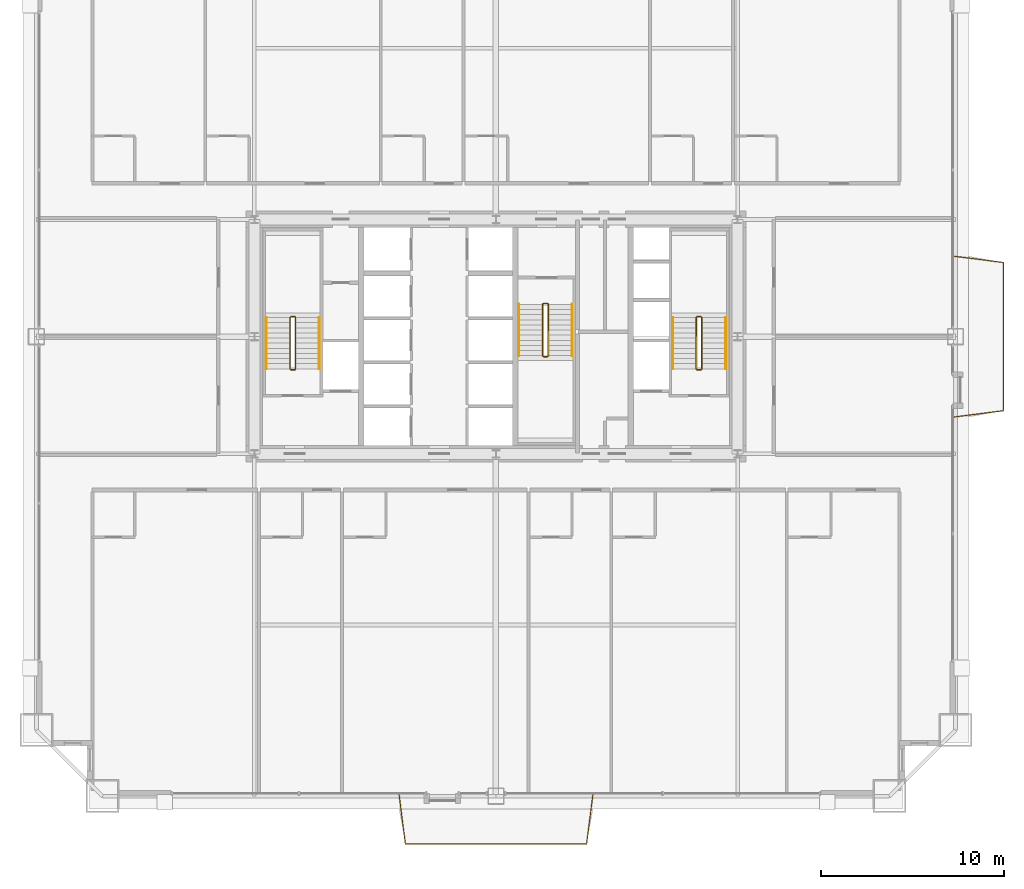
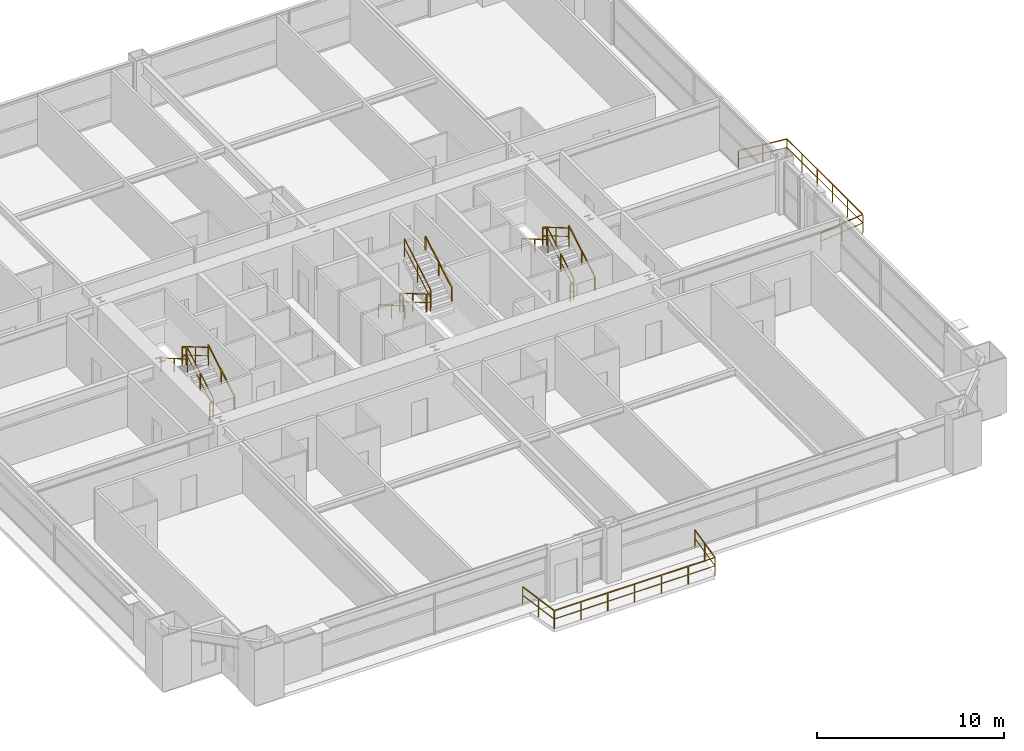
# One storey, part 43 of 43: 20 railings.
"""IFC4 building model written with IfcOpenShell, lengths in metres."""

from ifc_helpers import new_model, si_unit, direction, frame, origin, origin_2d, place, context, subcontext, project, spatial, rectangle, extrude, source, transform, mapped, material, layer, layer_set, type_object, element, save


model = new_model("IFC4")

# Units and contexts
model_context = context("Model", 3, precision=1e-05, world=origin(), true_north=direction((0.0, 1.0)))
body_context = subcontext(model_context, "Body", "Model", "MODEL_VIEW")
ifc_project = project(units=[si_unit("LENGTHUNIT", "METRE"), si_unit("AREAUNIT", "SQUARE_METRE"), si_unit("VOLUMEUNIT", "CUBIC_METRE"), si_unit("PLANEANGLEUNIT", "RADIAN"), si_unit("MASSUNIT", "GRAM", prefix="KILO"), si_unit("THERMODYNAMICTEMPERATUREUNIT", "KELVIN"), si_unit("POWERUNIT", "WATT")], contexts=[model_context])

# Site, building, storey
site_placement = place(None, origin())
site = spatial("IfcSite", under=ifc_project, at=site_placement, CompositionType="ELEMENT")
building_placement = place(site_placement, origin())
building = spatial("IfcBuilding", under=site, at=building_placement, Name="Yuzanri Waterfront Tower", CompositionType="ELEMENT")
storey_placement = place(building_placement, frame((0.0, 0.0, 71.199951171875)))
storey = spatial("IfcBuildingStorey", under=building, at=storey_placement, Name="L18", CompositionType="ELEMENT", Elevation=71.199951171875)

# Railings
ifc_material_1 = material(Name="Anodized Architectural Bronze", Category="metal")
ifc_layer_1 = layer(ifc_material_1, 0.080078125)
ifc_layer_set_1 = layer_set([ifc_layer_1], Name="Anodized Architectural Bronze")
railing_type_1 = type_object("IfcRailingType", Name="Laminated Glass and Bronze Balcony Guardrail 1200", PredefinedType="BALUSTRADE", material=ifc_layer_set_1)
shared_shape_1 = source(origin(), body_context, "Body", "SweptSolid", [
    extrude(rectangle(XDim=0.050048828125, YDim=0.050048828125, at=origin_2d()), frame((0.0, 0.0, 1.1748046875), z_axis=(0.125205977561, -0.992130769195, 0.0), x_axis=(0.992130769195, 0.125205977561, 0.0)), (0.0, 0.0, 1.0), 2.796142578125),
    extrude(rectangle(XDim=0.035888671875, YDim=0.030029296875, at=origin_2d()), frame((0.0, 0.0, 0.6240234375), z_axis=(0.125205977561, -0.992130769195, 0.0), x_axis=(0.992130769195, 0.125205977561, 0.0)), (0.0, 0.0, 1.0), 2.796142578125),
    extrude(rectangle(XDim=0.050048828125, YDim=0.050048828125, at=origin_2d()), frame((0.35009765625, -2.774169921875, 1.1748046875), z_axis=(1.0, 0.0, 0.0), x_axis=(0.0, 1.0, 0.0)), (0.0, 0.0, 1.0), 9.90185546875),
    extrude(rectangle(XDim=0.035888671875, YDim=0.030029296875, at=origin_2d()), frame((0.35009765625, -2.774169921875, 0.6240234375), z_axis=(1.0, 0.0, 0.0), x_axis=(0.0, 1.0, 0.0)), (0.0, 0.0, 1.0), 9.90185546875),
    extrude(rectangle(XDim=0.050048828125, YDim=0.050048828125, at=origin_2d()), frame((10.251953125, -2.774169921875, 1.1748046875), z_axis=(0.125205977561, 0.992130769195, 0.0), x_axis=(-0.992130769195, 0.125205977561, 0.0)), (0.0, 0.0, 1.0), 2.796142578125),
    extrude(rectangle(XDim=0.035888671875, YDim=0.030029296875, at=origin_2d()), frame((10.251953125, -2.774169921875, 0.6240234375), z_axis=(0.125205977561, 0.992130769195, 0.0), x_axis=(-0.992130769195, 0.125205977561, 0.0)), (0.0, 0.0, 1.0), 2.796142578125),
    extrude(rectangle(XDim=0.0458984375, YDim=0.0458984375, at=origin_2d()), origin(), (0.0, 0.0, 1.0), 1.14990234375),
    extrude(rectangle(XDim=0.0458984375, YDim=0.0458984375, at=origin_2d()), frame((0.175048828125, -1.38720703125, 0.0)), (0.0, 0.0, 1.0), 1.14990234375),
    extrude(rectangle(XDim=0.0458984375, YDim=0.0458984375, at=origin_2d()), frame((0.35009765625, -2.774169921875, 0.0)), (0.0, 0.0, 1.0), 1.14990234375),
    extrude(rectangle(XDim=0.0458984375, YDim=0.0458984375, at=origin_2d()), frame((2.00048828125, -2.774169921875, 0.0)), (0.0, 0.0, 1.0), 1.14990234375),
    extrude(rectangle(XDim=0.0458984375, YDim=0.0458984375, at=origin_2d()), frame((3.650634765625, -2.774169921875, 0.0)), (0.0, 0.0, 1.0), 1.14990234375),
    extrude(rectangle(XDim=0.0458984375, YDim=0.0458984375, at=origin_2d()), frame((5.301025390625, -2.774169921875, 0.0)), (0.0, 0.0, 1.0), 1.14990234375),
    extrude(rectangle(XDim=0.0458984375, YDim=0.0458984375, at=origin_2d()), frame((6.951416015625, -2.774169921875, 0.0)), (0.0, 0.0, 1.0), 1.14990234375),
    extrude(rectangle(XDim=0.0458984375, YDim=0.0458984375, at=origin_2d()), frame((8.6015625, -2.774169921875, 0.0)), (0.0, 0.0, 1.0), 1.14990234375),
    extrude(rectangle(XDim=0.0458984375, YDim=0.0458984375, at=origin_2d()), frame((10.251953125, -2.774169921875, 0.0)), (0.0, 0.0, 1.0), 1.14990234375),
    extrude(rectangle(XDim=0.0458984375, YDim=0.0458984375, at=origin_2d()), frame((10.427001953125, -1.38720703125, 0.0)), (0.0, 0.0, 1.0), 1.14990234375),
    extrude(rectangle(XDim=0.0458984375, YDim=0.0458984375, at=origin_2d()), frame((10.60205078125, 0.0, 0.0)), (0.0, 0.0, 1.0), 1.14990234375),
])
railing_1_placement = place(storey_placement, frame((31.698974609375, 0.85009765625, 0.0)))
element("IfcRailing", 1, at=railing_1_placement, inside=storey, type_object=railing_type_1, Name="L18 S Engawa Terrace Guardrail", PredefinedType="BALUSTRADE", context=body_context, shape_type="MappedRepresentation", body=[
    mapped(shared_shape_1, transform((0.0, 0.0, 0.0), scale=1.0)),
])
shared_shape_2 = source(origin(), body_context, "Body", "SweptSolid", [
    extrude(rectangle(XDim=0.050048828125, YDim=0.050048828125, at=origin_2d()), frame((0.0, 0.0, 1.1748046875), z_axis=(0.992130769195, 0.125205977561, 0.0), x_axis=(-0.125205977561, 0.992130769195, 0.0)), (0.0, 0.0, 1.0), 2.796142578125),
    extrude(rectangle(XDim=0.035888671875, YDim=0.030029296875, at=origin_2d()), frame((0.0, 0.0, 0.6240234375), z_axis=(0.992130769195, 0.125205977561, 0.0), x_axis=(-0.125205977561, 0.992130769195, 0.0)), (0.0, 0.0, 1.0), 2.796142578125),
    extrude(rectangle(XDim=0.050048828125, YDim=0.050048828125, at=origin_2d()), frame((2.774169921875, 0.35009765625, 1.1748046875), z_axis=(0.0, 1.0, 0.0), x_axis=(-1.0, 0.0, 0.0)), (0.0, 0.0, 1.0), 8.10009765625),
    extrude(rectangle(XDim=0.035888671875, YDim=0.030029296875, at=origin_2d()), frame((2.774169921875, 0.35009765625, 0.6240234375), z_axis=(0.0, 1.0, 0.0), x_axis=(-1.0, 0.0, 0.0)), (0.0, 0.0, 1.0), 8.10009765625),
    extrude(rectangle(XDim=0.050048828125, YDim=0.050048828125, at=origin_2d()), frame((2.774169921875, 8.4501953125, 1.1748046875), z_axis=(-0.992141611598, 0.125120032511, 0.0), x_axis=(-0.125120032511, -0.992141611598, 0.0)), (0.0, 0.0, 1.0), 2.796142578125),
    extrude(rectangle(XDim=0.035888671875, YDim=0.030029296875, at=origin_2d()), frame((2.774169921875, 8.4501953125, 0.6240234375), z_axis=(-0.992141611598, 0.125120032511, 0.0), x_axis=(-0.125120032511, -0.992141611598, 0.0)), (0.0, 0.0, 1.0), 2.796142578125),
    extrude(rectangle(XDim=0.0458984375, YDim=0.0458984375, at=origin_2d()), origin(), (0.0, 0.0, 1.0), 1.14990234375),
    extrude(rectangle(XDim=0.0458984375, YDim=0.0458984375, at=origin_2d()), frame((1.38720703125, 0.175048828125, 0.0)), (0.0, 0.0, 1.0), 1.14990234375),
    extrude(rectangle(XDim=0.0458984375, YDim=0.0458984375, at=origin_2d()), frame((2.774169921875, 0.35009765625, 0.0)), (0.0, 0.0, 1.0), 1.14990234375),
    extrude(rectangle(XDim=0.0458984375, YDim=0.0458984375, at=origin_2d()), frame((2.774169921875, 1.97021484375, 0.0)), (0.0, 0.0, 1.0), 1.14990234375),
    extrude(rectangle(XDim=0.0458984375, YDim=0.0458984375, at=origin_2d()), frame((2.774169921875, 3.590087890625, 0.0)), (0.0, 0.0, 1.0), 1.14990234375),
    extrude(rectangle(XDim=0.0458984375, YDim=0.0458984375, at=origin_2d()), frame((2.774169921875, 5.210205078125, 0.0)), (0.0, 0.0, 1.0), 1.14990234375),
    extrude(rectangle(XDim=0.0458984375, YDim=0.0458984375, at=origin_2d()), frame((2.774169921875, 6.830078125, 0.0)), (0.0, 0.0, 1.0), 1.14990234375),
    extrude(rectangle(XDim=0.0458984375, YDim=0.0458984375, at=origin_2d()), frame((2.774169921875, 8.4501953125, 0.0)), (0.0, 0.0, 1.0), 1.14990234375),
    extrude(rectangle(XDim=0.0458984375, YDim=0.0458984375, at=origin_2d()), frame((1.38720703125, 8.625, 0.0)), (0.0, 0.0, 1.0), 1.14990234375),
    extrude(rectangle(XDim=0.0458984375, YDim=0.0458984375, at=origin_2d()), frame((0.0, 8.800048828125, 0.0)), (0.0, 0.0, 1.0), 1.14990234375),
])
railing_2_placement = place(storey_placement, frame((61.949951171875, 21.39990234375, 0.0)))
element("IfcRailing", 2, at=railing_2_placement, inside=storey, type_object=railing_type_1, Name="L18 E Engawa Terrace Guardrail", PredefinedType="BALUSTRADE", context=body_context, shape_type="MappedRepresentation", body=[
    mapped(shared_shape_2, transform((0.0, 0.0, 0.0), scale=1.0)),
])
ifc_material_2 = material(Name="Painted Galvanized Fire Steel", Category="steel")
ifc_layer_2 = layer(ifc_material_2, 0.06005859375)
ifc_layer_set_2 = layer_set([ifc_layer_2], Name="Painted Galvanized Fire Steel")
railing_type_2 = type_object("IfcRailingType", Name="Painted Steel Stairwell Guardrail 1120", PredefinedType="GUARDRAIL", material=ifc_layer_set_2)
shared_shape_3 = source(origin(), body_context, "Body", "SweptSolid", [
    extrude(rectangle(XDim=0.050048828125, YDim=0.050048828125, at=origin_2d()), frame((0.0, 0.0, 1.1748046875), z_axis=(-1.0, 0.0, 0.0), x_axis=(0.0, -1.0, 0.0)), (0.0, 0.0, 1.0), 0.199951171875),
    extrude(rectangle(XDim=0.035888671875, YDim=0.030029296875, at=origin_2d()), frame((0.0, 0.0, 0.6240234375), z_axis=(-1.0, 0.0, 0.0), x_axis=(0.0, -1.0, 0.0)), (0.0, 0.0, 1.0), 0.199951171875),
    extrude(rectangle(XDim=0.0458984375, YDim=0.0458984375, at=origin_2d()), origin(), (0.0, 0.0, 1.0), 1.14990234375),
    extrude(rectangle(XDim=0.0458984375, YDim=0.0458984375, at=origin_2d()), frame((-0.199951171875, 0.0, 0.0)), (0.0, 0.0, 1.0), 1.14990234375),
])
for number, where, name in (
    (3, (26.0, 26.889892578125, 1.800048828125), "L18 ST-01 stair guard 2"),
    (4, (26.0, 23.989990234375, 0.0), "L18 ST-01 stair guard 4"),
    (5, (48.199951171875, 26.889892578125, 1.800048828125), "L18 ST-02 stair guard 2"),
    (6, (48.199951171875, 23.989990234375, 0.0), "L18 ST-02 stair guard 4"),
):
    element("IfcRailing", number, at=place(storey_placement, frame(where)), inside=storey, type_object=railing_type_2, Name=name, PredefinedType="GUARDRAIL", context=body_context, shape_type="MappedRepresentation", body=[
        mapped(shared_shape_3, transform((0.0, 0.0, 0.0), scale=1.0)),
    ])
shared_shape_4 = source(origin(), body_context, "Body", "SweptSolid", [
    extrude(rectangle(XDim=0.050048828125, YDim=0.050048828125, at=origin_2d()), frame((0.0, 0.0, 1.1748046875), z_axis=(0.0, 0.863360870873, 0.504586966384), x_axis=(-1.0, 0.0, 0.0)), (0.0, 0.0, 1.0), 3.2431640625),
    extrude(rectangle(XDim=0.035888671875, YDim=0.030029296875, at=origin_2d()), frame((0.0, 0.0, 0.6240234375), z_axis=(0.0, 0.863360870873, 0.504586966384), x_axis=(-1.0, 0.0, 0.0)), (0.0, 0.0, 1.0), 3.2431640625),
    extrude(rectangle(XDim=0.0458984375, YDim=0.0458984375, at=origin_2d()), origin(), (0.0, 0.0, 1.0), 1.14990234375),
    extrude(rectangle(XDim=0.0458984375, YDim=0.0458984375, at=origin_2d()), frame((0.0, 1.39990234375, 0.818359375)), (0.0, 0.0, 1.0), 1.14990234375),
    extrude(rectangle(XDim=0.0458984375, YDim=0.0458984375, at=origin_2d()), frame((0.0, 2.800048828125, 1.636474609375)), (0.0, 0.0, 1.0), 1.14990234375),
])
for number, where, name in (
    (7, (26.050048828125, 24.0400390625, 0.16357421875), "L18 ST-01 stair guard 1"),
    (8, (48.25, 24.0400390625, 0.16357421875), "L18 ST-02 stair guard 1"),
    (9, (39.85009765625, 24.760009765625, 1.963623046875), "L18 ST-03 stair guard 3"),
):
    element("IfcRailing", number, at=place(storey_placement, frame(where)), inside=storey, type_object=railing_type_2, Name=name, PredefinedType="GUARDRAIL", context=body_context, shape_type="MappedRepresentation", body=[
        mapped(shared_shape_4, transform((0.0, 0.0, 0.0), scale=1.0)),
    ])
shared_shape_5 = source(origin(), body_context, "Body", "SweptSolid", [
    extrude(rectangle(XDim=0.050048828125, YDim=0.050048828125, at=origin_2d()), frame((0.0, 0.0, 1.1748046875), z_axis=(0.0, -0.863360870873, 0.504586966384), x_axis=(1.0, 0.0, 0.0)), (0.0, 0.0, 1.0), 3.2431640625),
    extrude(rectangle(XDim=0.035888671875, YDim=0.030029296875, at=origin_2d()), frame((0.0, 0.0, 0.6240234375), z_axis=(0.0, -0.863360870873, 0.504586966384), x_axis=(1.0, 0.0, 0.0)), (0.0, 0.0, 1.0), 3.2431640625),
    extrude(rectangle(XDim=0.0458984375, YDim=0.0458984375, at=origin_2d()), origin(), (0.0, 0.0, 1.0), 1.14990234375),
    extrude(rectangle(XDim=0.0458984375, YDim=0.0458984375, at=origin_2d()), frame((0.0, -1.39990234375, 0.818359375)), (0.0, 0.0, 1.0), 1.14990234375),
    extrude(rectangle(XDim=0.0458984375, YDim=0.0458984375, at=origin_2d()), frame((0.0, -2.800048828125, 1.636474609375)), (0.0, 0.0, 1.0), 1.14990234375),
])
for number, where, name in (
    (10, (25.75, 26.840087890625, 1.963623046875), "L18 ST-01 stair guard 3"),
    (11, (47.949951171875, 26.840087890625, 1.963623046875), "L18 ST-02 stair guard 3"),
    (12, (39.550048828125, 27.56005859375, 0.16357421875), "L18 ST-03 stair guard 1"),
):
    element("IfcRailing", number, at=place(storey_placement, frame(where)), inside=storey, type_object=railing_type_2, Name=name, PredefinedType="GUARDRAIL", context=body_context, shape_type="MappedRepresentation", body=[
        mapped(shared_shape_5, transform((0.0, 0.0, 0.0), scale=1.0)),
    ])
ifc_material_3 = material(Name="Anodized Architectural Bronze", Category="metal")
ifc_layer_3 = layer(ifc_material_3, 0.050048828125)
ifc_layer_set_3 = layer_set([ifc_layer_3], Name="Anodized Architectural Bronze")
railing_type_3 = type_object("IfcRailingType", Name="Brushed Bronze Stair Pitch Handrail 920", PredefinedType="HANDRAIL", material=ifc_layer_set_3)
shared_shape_6 = source(origin(), body_context, "Body", "SweptSolid", [
    extrude(rectangle(XDim=0.050048828125, YDim=0.050048828125, at=origin_2d()), frame((0.0, 0.0, 0.875), z_axis=(0.0, 0.863360870873, 0.504586966384), x_axis=(-1.0, 0.0, 0.0)), (0.0, 0.0, 1.0), 3.2431640625),
    extrude(rectangle(XDim=0.0458984375, YDim=0.0458984375, at=origin_2d()), origin(), (0.0, 0.0, 1.0), 0.849853515625),
    extrude(rectangle(XDim=0.0458984375, YDim=0.0458984375, at=origin_2d()), frame((0.0, 1.39990234375, 0.818359375)), (0.0, 0.0, 1.0), 0.849853515625),
    extrude(rectangle(XDim=0.0458984375, YDim=0.0458984375, at=origin_2d()), frame((0.0, 2.800048828125, 1.636474609375)), (0.0, 0.0, 1.0), 0.849853515625),
])
for number, where, name in (
    (13, (27.35009765625, 24.0400390625, 0.16357421875), "L18 ST-01 stair handrail 1"),
    (14, (49.550048828125, 24.0400390625, 0.16357421875), "L18 ST-02 stair handrail 1"),
    (15, (41.14990234375, 24.760009765625, 1.963623046875), "L18 ST-03 stair handrail 2"),
):
    element("IfcRailing", number, at=place(storey_placement, frame(where)), inside=storey, type_object=railing_type_3, Name=name, PredefinedType="HANDRAIL", context=body_context, shape_type="MappedRepresentation", body=[
        mapped(shared_shape_6, transform((0.0, 0.0, 0.0), scale=1.0)),
    ])
shared_shape_7 = source(origin(), body_context, "Body", "SweptSolid", [
    extrude(rectangle(XDim=0.050048828125, YDim=0.050048828125, at=origin_2d()), frame((0.0, 0.0, 0.875), z_axis=(0.0, -0.863360870873, 0.504586966384), x_axis=(1.0, 0.0, 0.0)), (0.0, 0.0, 1.0), 3.2431640625),
    extrude(rectangle(XDim=0.0458984375, YDim=0.0458984375, at=origin_2d()), origin(), (0.0, 0.0, 1.0), 0.849853515625),
    extrude(rectangle(XDim=0.0458984375, YDim=0.0458984375, at=origin_2d()), frame((0.0, -1.39990234375, 0.818359375)), (0.0, 0.0, 1.0), 0.849853515625),
    extrude(rectangle(XDim=0.0458984375, YDim=0.0458984375, at=origin_2d()), frame((0.0, -2.800048828125, 1.636474609375)), (0.0, 0.0, 1.0), 0.849853515625),
])
for number, where, name in (
    (16, (24.449951171875, 26.840087890625, 1.963623046875), "L18 ST-01 stair handrail 2"),
    (17, (46.64990234375, 26.840087890625, 1.963623046875), "L18 ST-02 stair handrail 2"),
    (18, (38.25, 27.56005859375, 0.16357421875), "L18 ST-03 stair handrail 1"),
):
    element("IfcRailing", number, at=place(storey_placement, frame(where)), inside=storey, type_object=railing_type_3, Name=name, PredefinedType="HANDRAIL", context=body_context, shape_type="MappedRepresentation", body=[
        mapped(shared_shape_7, transform((0.0, 0.0, 0.0), scale=1.0)),
    ])
shared_shape_8 = source(origin(), body_context, "Body", "SweptSolid", [
    extrude(rectangle(XDim=0.050048828125, YDim=0.050048828125, at=origin_2d()), frame((0.0, 0.0, 1.1748046875), z_axis=(1.0, 0.0, 0.0), x_axis=(0.0, 1.0, 0.0)), (0.0, 0.0, 1.0), 0.199951171875),
    extrude(rectangle(XDim=0.035888671875, YDim=0.030029296875, at=origin_2d()), frame((0.0, 0.0, 0.6240234375), z_axis=(1.0, 0.0, 0.0), x_axis=(0.0, 1.0, 0.0)), (0.0, 0.0, 1.0), 0.199951171875),
    extrude(rectangle(XDim=0.0458984375, YDim=0.0458984375, at=origin_2d()), origin(), (0.0, 0.0, 1.0), 1.14990234375),
    extrude(rectangle(XDim=0.0458984375, YDim=0.0458984375, at=origin_2d()), frame((0.199951171875, 0.0, 0.0)), (0.0, 0.0, 1.0), 1.14990234375),
])
for number, where, name in (
    (19, (39.60009765625, 24.7099609375, 1.800048828125), "L18 ST-03 stair guard 2"),
    (20, (39.60009765625, 27.610107421875, 0.0), "L18 ST-03 stair guard 4"),
):
    element("IfcRailing", number, at=place(storey_placement, frame(where)), inside=storey, type_object=railing_type_2, Name=name, PredefinedType="GUARDRAIL", context=body_context, shape_type="MappedRepresentation", body=[
        mapped(shared_shape_8, transform((0.0, 0.0, 0.0), scale=1.0)),
    ])

save(model, "model.ifc")
